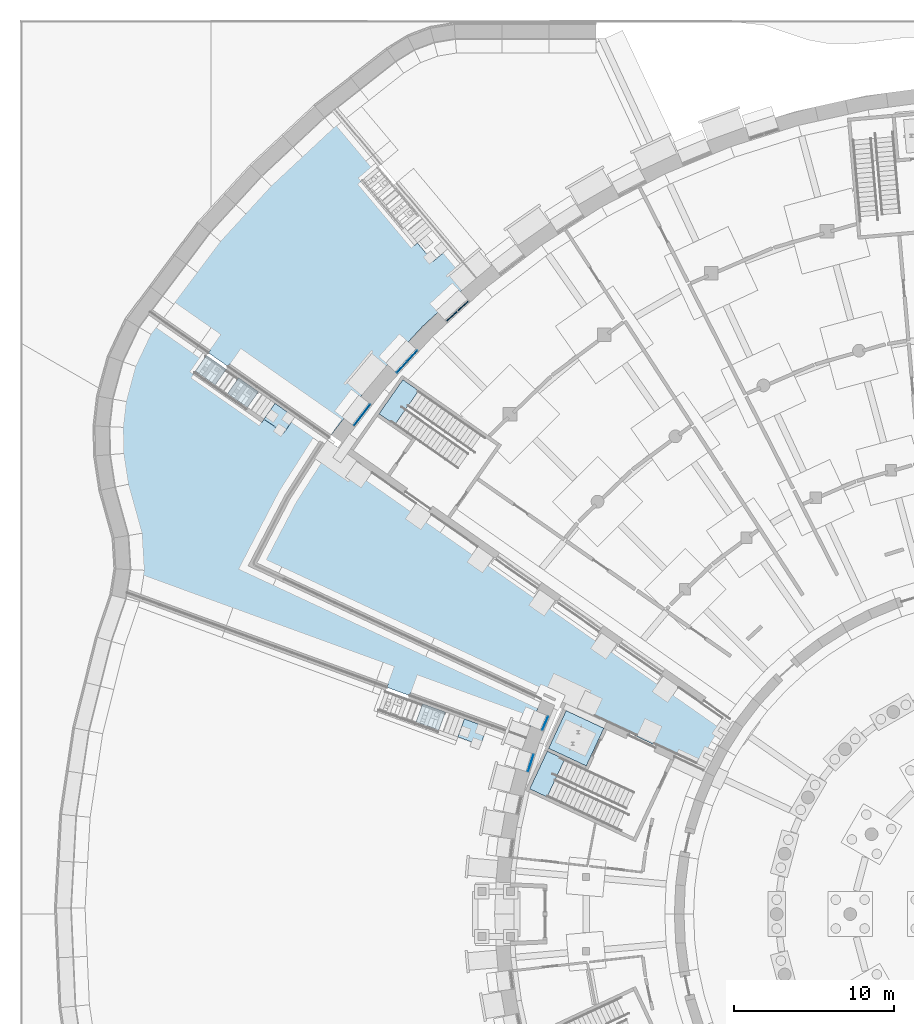
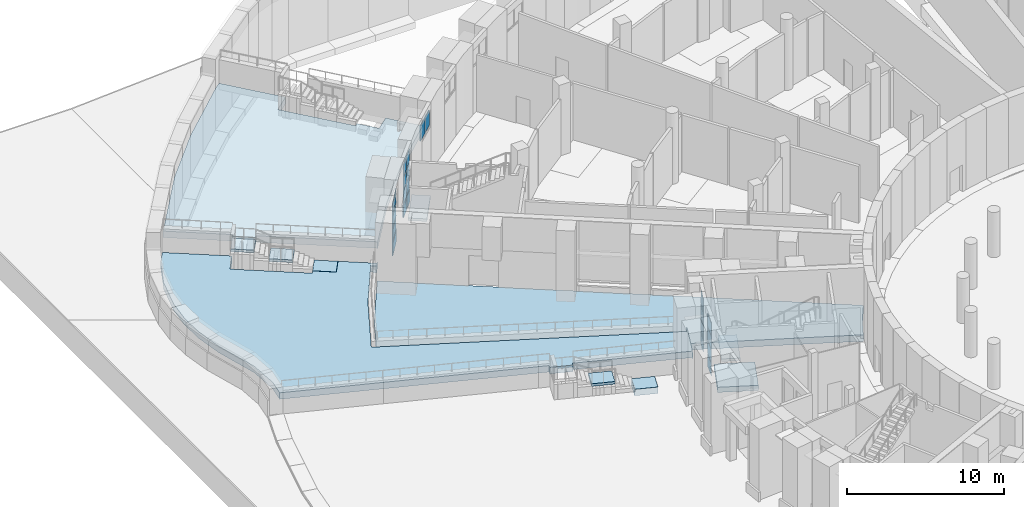
# One storey, part 33 of 65: 22 plates, 11 slabs, 9 elements without a shape of their own.
"""IFC4 building model written with IfcOpenShell, lengths in metres."""

from ifc_helpers import new_model, si_unit, direction, frame, origin, origin_2d, place, context, subcontext, project, spatial, polyline, rectangle, outline, extrude, material, layer, layer_set, type_object, element, aggregate, save


model = new_model("IFC4")

# Units and contexts
model_context = context("Model", 3, precision=1e-05, world=origin(), true_north=direction((0.0, 1.0)))
body_context = subcontext(model_context, "Body", "Model", "MODEL_VIEW")
ifc_project = project(units=[si_unit("LENGTHUNIT", "METRE"), si_unit("AREAUNIT", "SQUARE_METRE"), si_unit("VOLUMEUNIT", "CUBIC_METRE"), si_unit("PLANEANGLEUNIT", "RADIAN"), si_unit("MASSUNIT", "GRAM", prefix="KILO")], contexts=[model_context])

# Site, building, storey
site_placement = place(None, origin())
site = spatial("IfcSite", under=ifc_project, at=site_placement, CompositionType="ELEMENT")
building_placement = place(site_placement, origin())
building = spatial("IfcBuilding", under=site, at=building_placement, Name="Volute Hill Aquarium", CompositionType="ELEMENT")
storey_placement = place(building_placement, frame((0.0, 0.0, -5.5)))
storey = spatial("IfcBuildingStorey", under=building, at=storey_placement, Name="L00", CompositionType="ELEMENT", Elevation=-5.5)

# Curtain wall, plates
ifc_material_1 = material(Name="Aluminium", Category="aluminium")
ifc_layer_1 = layer(ifc_material_1, 0.25)
ifc_layer_set_1 = layer_set([ifc_layer_1], Name="Curtain wall niche S1 module 993")
curtain_wall_type_1 = type_object("IfcCurtainWallType", Name="Curtain wall niche S1 module 993", PredefinedType="NOTDEFINED", material=ifc_layer_set_1)
curtain_wall_1_placement = place(storey_placement, origin())
curtain_wall_1 = element("IfcCurtainWall", 1, at=curtain_wall_1_placement, inside=storey, type_object=curtain_wall_type_1, Name="Curtain wall CW S1 L00 1", PredefinedType="NOTDEFINED")
ifc_material_2 = material(Name="Glass, low-iron laminated", Category="glass")
ifc_layer_2 = layer(ifc_material_2, 0.02392578125)
ifc_layer_set_2 = layer_set([ifc_layer_2], Name="Curtain wall glass panel S1 24")
plate_type_1 = type_object("IfcPlateType", Name="Curtain wall glass panel S1 24", PredefinedType="CURTAIN_PANEL", material=ifc_layer_set_2)
plate_1_placement = place(storey_placement, frame((-29.08935546875, 11.94091796875, 0.800048828125), z_axis=(0.0, 0.0, 1.0), x_axis=(-0.382669702059, -0.923885219671, 0.0)))
plate_1 = element("IfcPlate", 2, at=plate_1_placement, type_object=plate_type_1, Name="CW panel 1.1", PredefinedType="CURTAIN_PANEL", context=body_context, shape_type="SweptSolid", body=[
    extrude(rectangle(XDim=0.892822265625, YDim=0.02392578125, at=origin_2d()), origin(), (0.0, 0.0, 1.0), 0.97509765625),
])
plate_2_placement = place(storey_placement, frame((-29.08935546875, 11.94091796875, 1.824951171875), z_axis=(0.0, 0.0, 1.0), x_axis=(-0.382669702059, -0.923885219671, 0.0)))
plate_2 = element("IfcPlate", 3, at=plate_2_placement, type_object=plate_type_1, Name="CW panel 1.2", PredefinedType="CURTAIN_PANEL", context=body_context, shape_type="SweptSolid", body=[
    extrude(rectangle(XDim=0.892822265625, YDim=0.02392578125, at=origin_2d()), origin(), (0.0, 0.0, 1.0), 1.0),
])
plate_3_placement = place(storey_placement, frame((-29.08935546875, 11.94091796875, 2.875), z_axis=(0.0, 0.0, 1.0), x_axis=(-0.382669702059, -0.923885219671, 0.0)))
plate_3 = element("IfcPlate", 4, at=plate_3_placement, type_object=plate_type_1, Name="CW panel 1.3", PredefinedType="CURTAIN_PANEL", context=body_context, shape_type="SweptSolid", body=[
    extrude(rectangle(XDim=0.892822265625, YDim=0.02392578125, at=origin_2d()), origin(), (0.0, 0.0, 1.0), 1.0),
])
plate_4_placement = place(storey_placement, frame((-29.08935546875, 11.94091796875, 3.925048828125), z_axis=(0.0, 0.0, 1.0), x_axis=(-0.382669702059, -0.923885219671, 0.0)))
plate_4 = element("IfcPlate", 5, at=plate_4_placement, type_object=plate_type_1, Name="CW panel 1.4", PredefinedType="CURTAIN_PANEL", context=body_context, shape_type="SweptSolid", body=[
    extrude(rectangle(XDim=0.892822265625, YDim=0.02392578125, at=origin_2d()), origin(), (0.0, 0.0, 1.0), 0.97509765625),
])
aggregate(curtain_wall_1, [plate_1, plate_2, plate_3, plate_4])

ifc_material_3 = material(Name="Aluminium", Category="aluminium")
ifc_layer_3 = layer(ifc_material_3, 0.25)
ifc_layer_set_3 = layer_set([ifc_layer_3], Name="Curtain wall niche S1 module 1193")
curtain_wall_type_2 = type_object("IfcCurtainWallType", Name="Curtain wall niche S1 module 1193", PredefinedType="NOTDEFINED", material=ifc_layer_set_3)
curtain_wall_2_placement = place(storey_placement, origin())
curtain_wall_2 = element("IfcCurtainWall", 6, at=curtain_wall_2_placement, inside=storey, type_object=curtain_wall_type_2, Name="Curtain wall CW S1 L00 2", PredefinedType="NOTDEFINED")
plate_5_placement = place(storey_placement, frame((-29.9892578125, 9.45556640625, 0.800048828125), z_axis=(0.0, 0.0, 1.0), x_axis=(-0.300702070227, -0.953718126577, 0.0)))
plate_5 = element("IfcPlate", 7, at=plate_5_placement, type_object=plate_type_1, Name="CW panel 1.1", PredefinedType="CURTAIN_PANEL", context=body_context, shape_type="SweptSolid", body=[
    extrude(rectangle(XDim=1.093017578125, YDim=0.02392578125, at=origin_2d()), origin(), (0.0, 0.0, 1.0), 0.97509765625),
])
plate_6_placement = place(storey_placement, frame((-29.9892578125, 9.45556640625, 1.824951171875), z_axis=(0.0, 0.0, 1.0), x_axis=(-0.300702070227, -0.953718126577, 0.0)))
plate_6 = element("IfcPlate", 8, at=plate_6_placement, type_object=plate_type_1, Name="CW panel 1.2", PredefinedType="CURTAIN_PANEL", context=body_context, shape_type="SweptSolid", body=[
    extrude(rectangle(XDim=1.093017578125, YDim=0.02392578125, at=origin_2d()), origin(), (0.0, 0.0, 1.0), 1.0),
])
plate_7_placement = place(storey_placement, frame((-29.9892578125, 9.45556640625, 2.875), z_axis=(0.0, 0.0, 1.0), x_axis=(-0.300702070227, -0.953718126577, 0.0)))
plate_7 = element("IfcPlate", 9, at=plate_7_placement, type_object=plate_type_1, Name="CW panel 1.3", PredefinedType="CURTAIN_PANEL", context=body_context, shape_type="SweptSolid", body=[
    extrude(rectangle(XDim=1.093017578125, YDim=0.02392578125, at=origin_2d()), origin(), (0.0, 0.0, 1.0), 1.0),
])
plate_8_placement = place(storey_placement, frame((-29.9892578125, 9.45556640625, 3.925048828125), z_axis=(0.0, 0.0, 1.0), x_axis=(-0.300702070227, -0.953718126577, 0.0)))
plate_8 = element("IfcPlate", 10, at=plate_8_placement, type_object=plate_type_1, Name="CW panel 1.4", PredefinedType="CURTAIN_PANEL", context=body_context, shape_type="SweptSolid", body=[
    extrude(rectangle(XDim=1.093017578125, YDim=0.02392578125, at=origin_2d()), origin(), (0.0, 0.0, 1.0), 0.97509765625),
])
aggregate(curtain_wall_2, [plate_5, plate_6, plate_7, plate_8])

ifc_material_4 = material(Name="Aluminium", Category="aluminium")
ifc_layer_4 = layer(ifc_material_4, 0.25)
ifc_layer_set_4 = layer_set([ifc_layer_4], Name="Curtain wall niche S6 module 967")
curtain_wall_type_3 = type_object("IfcCurtainWallType", Name="Curtain wall niche S6 module 967", PredefinedType="NOTDEFINED", material=ifc_layer_set_4)
curtain_wall_3_placement = place(storey_placement, origin())
curtain_wall_3 = element("IfcCurtainWall", 11, at=curtain_wall_3_placement, inside=storey, type_object=curtain_wall_type_3, Name="Curtain wall CW S6 L00 9", PredefinedType="NOTDEFINED")
ifc_material_5 = material(Name="Glass, low-iron laminated", Category="glass")
ifc_layer_5 = layer(ifc_material_5, 0.02392578125)
ifc_layer_set_5 = layer_set([ifc_layer_5], Name="Curtain wall glass panel S6 24")
plate_type_2 = type_object("IfcPlateType", Name="Curtain wall glass panel S6 24", PredefinedType="CURTAIN_PANEL", material=ifc_layer_set_5)
plate_9_placement = place(storey_placement, frame((-37.412841796875, 34.921142578125, 1.824951171875), z_axis=(0.0, 0.0, 1.0), x_axis=(-0.675582007635, -0.737284850624, 0.0)))
plate_9 = element("IfcPlate", 12, at=plate_9_placement, type_object=plate_type_2, Name="CW panel 1.2", PredefinedType="CURTAIN_PANEL", context=body_context, shape_type="SweptSolid", body=[
    extrude(rectangle(XDim=0.891845703125, YDim=0.02392578125, at=origin_2d()), origin(), (0.0, 0.0, 1.0), 1.0),
])
plate_10_placement = place(storey_placement, frame((-37.412841796875, 34.921142578125, 2.875), z_axis=(0.0, 0.0, 1.0), x_axis=(-0.675582007635, -0.737284850624, 0.0)))
plate_10 = element("IfcPlate", 13, at=plate_10_placement, type_object=plate_type_2, Name="CW panel 1.3", PredefinedType="CURTAIN_PANEL", context=body_context, shape_type="SweptSolid", body=[
    extrude(rectangle(XDim=0.891845703125, YDim=0.02392578125, at=origin_2d()), origin(), (0.0, 0.0, 1.0), 1.0),
])
plate_11_placement = place(storey_placement, frame((-37.412841796875, 34.921142578125, 3.925048828125), z_axis=(0.0, 0.0, 1.0), x_axis=(-0.675582007635, -0.737284850624, 0.0)))
plate_11 = element("IfcPlate", 14, at=plate_11_placement, type_object=plate_type_2, Name="CW panel 1.4", PredefinedType="CURTAIN_PANEL", context=body_context, shape_type="SweptSolid", body=[
    extrude(rectangle(XDim=0.891845703125, YDim=0.02392578125, at=origin_2d()), origin(), (0.0, 0.0, 1.0), 0.97509765625),
])
plate_12_placement = place(storey_placement, frame((-38.049072265625, 34.226806640625, 1.824951171875), z_axis=(0.0, 0.0, 1.0), x_axis=(-0.675582007635, -0.737284850624, 0.0)))
plate_12 = element("IfcPlate", 15, at=plate_12_placement, type_object=plate_type_2, Name="CW panel 2.2", PredefinedType="CURTAIN_PANEL", context=body_context, shape_type="SweptSolid", body=[
    extrude(rectangle(XDim=0.891845703125, YDim=0.02392578125, at=origin_2d()), origin(), (0.0, 0.0, 1.0), 1.0),
])
plate_13_placement = place(storey_placement, frame((-38.049072265625, 34.226806640625, 2.875), z_axis=(0.0, 0.0, 1.0), x_axis=(-0.675582007635, -0.737284850624, 0.0)))
plate_13 = element("IfcPlate", 16, at=plate_13_placement, type_object=plate_type_2, Name="CW panel 2.3", PredefinedType="CURTAIN_PANEL", context=body_context, shape_type="SweptSolid", body=[
    extrude(rectangle(XDim=0.891845703125, YDim=0.02392578125, at=origin_2d()), origin(), (0.0, 0.0, 1.0), 1.0),
])
plate_14_placement = place(storey_placement, frame((-38.049072265625, 34.226806640625, 3.925048828125), z_axis=(0.0, 0.0, 1.0), x_axis=(-0.675582007635, -0.737284850624, 0.0)))
plate_14 = element("IfcPlate", 17, at=plate_14_placement, type_object=plate_type_2, Name="CW panel 2.4", PredefinedType="CURTAIN_PANEL", context=body_context, shape_type="SweptSolid", body=[
    extrude(rectangle(XDim=0.891845703125, YDim=0.02392578125, at=origin_2d()), origin(), (0.0, 0.0, 1.0), 0.97509765625),
])

ifc_material_6 = material(Name="Aluminium", Category="aluminium")
ifc_layer_6 = layer(ifc_material_6, 0.25)
ifc_layer_set_6 = layer_set([ifc_layer_6], Name="Curtain wall niche S6 module 1734")
curtain_wall_type_4 = type_object("IfcCurtainWallType", Name="Curtain wall niche S6 module 1734", PredefinedType="NOTDEFINED", material=ifc_layer_set_6)
curtain_wall_4_placement = place(storey_placement, origin())
curtain_wall_4 = element("IfcCurtainWall", 18, at=curtain_wall_4_placement, inside=storey, type_object=curtain_wall_type_4, Name="Curtain wall CW S6 L00 10", PredefinedType="NOTDEFINED")
plate_15_placement = place(storey_placement, frame((-40.539794921875, 31.2333984375, 1.824951171875), z_axis=(0.0, 0.0, 1.0), x_axis=(-0.608766945394, -0.79334910739, 0.0)))
plate_15 = element("IfcPlate", 19, at=plate_15_placement, type_object=plate_type_2, Name="CW panel 1.2", PredefinedType="CURTAIN_PANEL", context=body_context, shape_type="SweptSolid", body=[
    extrude(rectangle(XDim=1.633544921875, YDim=0.02392578125, at=origin_2d()), origin(), (0.0, 0.0, 1.0), 1.0),
])
plate_16_placement = place(storey_placement, frame((-40.539794921875, 31.2333984375, 2.875), z_axis=(0.0, 0.0, 1.0), x_axis=(-0.608766945394, -0.79334910739, 0.0)))
plate_16 = element("IfcPlate", 20, at=plate_16_placement, type_object=plate_type_2, Name="CW panel 1.3", PredefinedType="CURTAIN_PANEL", context=body_context, shape_type="SweptSolid", body=[
    extrude(rectangle(XDim=1.633544921875, YDim=0.02392578125, at=origin_2d()), origin(), (0.0, 0.0, 1.0), 1.0),
])
plate_17_placement = place(storey_placement, frame((-40.539794921875, 31.2333984375, 3.925048828125), z_axis=(0.0, 0.0, 1.0), x_axis=(-0.608766945394, -0.79334910739, 0.0)))
plate_17 = element("IfcPlate", 21, at=plate_17_placement, type_object=plate_type_2, Name="CW panel 1.4", PredefinedType="CURTAIN_PANEL", context=body_context, shape_type="SweptSolid", body=[
    extrude(rectangle(XDim=1.633544921875, YDim=0.02392578125, at=origin_2d()), origin(), (0.0, 0.0, 1.0), 0.97509765625),
])

curtain_wall_5_placement = place(storey_placement, origin())
curtain_wall_5 = element("IfcCurtainWall", 22, at=curtain_wall_5_placement, inside=storey, type_object=curtain_wall_type_3, Name="Curtain wall CW S6 L00 8", PredefinedType="NOTDEFINED")
ifc_material_7 = material(Name="Aluminium", Category="aluminium")
ifc_layer_7 = layer(ifc_material_7, 0.06005859375)
ifc_layer_set_7 = layer_set([ifc_layer_7], Name="Curtain wall insulated spandrel panel 60")
plate_type_3 = type_object("IfcPlateType", Name="Curtain wall insulated spandrel panel 60", PredefinedType="CURTAIN_PANEL", material=ifc_layer_set_7)
plate_18_placement = place(storey_placement, frame((-34.226806640625, 38.049072265625, 3.7001953125), z_axis=(0.0, 0.0, 1.0), x_axis=(-0.737284850624, -0.675582007635, 0.0)))
plate_18 = element("IfcPlate", 23, at=plate_18_placement, type_object=plate_type_3, Name="CW panel 1.1", PredefinedType="CURTAIN_PANEL", context=body_context, shape_type="SweptSolid", body=[
    extrude(rectangle(XDim=0.891845703125, YDim=0.06005859375, at=origin_2d()), origin(), (0.0, 0.0, 1.0), 1.199951171875),
])
plate_19_placement = place(storey_placement, frame((-34.921142578125, 37.412841796875, 3.7001953125), z_axis=(0.0, 0.0, 1.0), x_axis=(-0.737284850624, -0.675582007635, 0.0)))
plate_19 = element("IfcPlate", 24, at=plate_19_placement, type_object=plate_type_3, Name="CW panel 2.1", PredefinedType="CURTAIN_PANEL", context=body_context, shape_type="SweptSolid", body=[
    extrude(rectangle(XDim=0.891845703125, YDim=0.06005859375, at=origin_2d()), origin(), (0.0, 0.0, 1.0), 1.199951171875),
])
aggregate(curtain_wall_5, [plate_18, plate_19])

# Plate
plate_20_placement = place(storey_placement, frame((-37.412841796875, 34.921142578125, 0.800048828125), z_axis=(0.0, 0.0, 1.0), x_axis=(-0.675582007635, -0.737284850624, 0.0)))
plate_20 = element("IfcPlate", 25, at=plate_20_placement, type_object=plate_type_3, Name="CW panel 1.1", PredefinedType="CURTAIN_PANEL", context=body_context, shape_type="SweptSolid", body=[
    extrude(rectangle(XDim=0.891845703125, YDim=0.06005859375, at=origin_2d()), origin(), (0.0, 0.0, 1.0), 0.97509765625),
])

plate_21_placement = place(storey_placement, frame((-38.049072265625, 34.226806640625, 0.800048828125), z_axis=(0.0, 0.0, 1.0), x_axis=(-0.675582007635, -0.737284850624, 0.0)))
plate_21 = element("IfcPlate", 26, at=plate_21_placement, type_object=plate_type_3, Name="CW panel 2.1", PredefinedType="CURTAIN_PANEL", context=body_context, shape_type="SweptSolid", body=[
    extrude(rectangle(XDim=0.891845703125, YDim=0.06005859375, at=origin_2d()), origin(), (0.0, 0.0, 1.0), 0.97509765625),
])

aggregate(curtain_wall_3, [plate_20, plate_9, plate_10, plate_11, plate_21, plate_12, plate_13, plate_14])

plate_22_placement = place(storey_placement, frame((-40.539794921875, 31.2333984375, 0.800048828125), z_axis=(0.0, 0.0, 1.0), x_axis=(-0.608766945394, -0.79334910739, 0.0)))
plate_22 = element("IfcPlate", 27, at=plate_22_placement, type_object=plate_type_3, Name="CW panel 1.1", PredefinedType="CURTAIN_PANEL", context=body_context, shape_type="SweptSolid", body=[
    extrude(rectangle(XDim=1.633544921875, YDim=0.06005859375, at=origin_2d()), origin(), (0.0, 0.0, 1.0), 0.97509765625),
])

aggregate(curtain_wall_4, [plate_22, plate_15, plate_16, plate_17])

# Slab
ifc_material_8 = material(Name="Concrete C30/37", Category="concrete")
ifc_layer_8 = layer(ifc_material_8, 0.39990234375)
ifc_layer_set_8 = layer_set([ifc_layer_8], Name="Lift pit slab 400 C30/37")
slab_type_1 = type_object("IfcSlabType", Name="Lift pit slab 400 C30/37", PredefinedType="BASESLAB", material=ifc_layer_set_8)
slab_1_placement = place(storey_placement, frame((0.0, 0.0, -1.800048828125)))
element("IfcSlab", 28, at=slab_1_placement, inside=storey, type_object=slab_type_1, Name="lp/S1-A/L00", PredefinedType="BASESLAB", context=body_context, shape_type="SweptSolid", body=[
    extrude(outline(polyline([(-25.415771484375, 11.630859375), (-27.772216796875, 12.729736328125), (-28.87109375, 10.373291015625), (-26.5146484375, 9.2744140625), (-25.415771484375, 11.630859375)])), origin(), (0.0, 0.0, 1.0), 0.400146484375),
])

# Stair, slab
ifc_material_9 = material(Name="Concrete C30/37", Category="concrete")
stair_type_1 = type_object("IfcStairType", Name="Outdoor stair", PredefinedType="STRAIGHT_RUN_STAIR", material=ifc_material_9)
stair_1_placement = place(storey_placement, origin())
stair_1 = element("IfcStair", 29, at=stair_1_placement, inside=storey, type_object=stair_type_1, Name="Outdoor stair 160", PredefinedType="STRAIGHT_RUN_STAIR")
ifc_material_10 = material(Name="Concrete C30/37", Category="concrete")
ifc_layer_9 = layer(ifc_material_10, 0.5)
ifc_layer_set_9 = layer_set([ifc_layer_9], Name="Outdoor stair foot slab C30/37 500")
slab_type_2 = type_object("IfcSlabType", Name="Outdoor stair foot slab C30/37 500", PredefinedType="LANDING", material=ifc_layer_set_9)
slab_2_placement = place(storey_placement, frame((0.0, 0.0, -0.5)))
slab_2 = element("IfcSlab", 30, at=slab_2_placement, type_object=slab_type_2, Name="Stair 160 foot slab", PredefinedType="LANDING", context=body_context, shape_type="SweptSolid", body=[
    extrude(outline(polyline([(-32.72265625, 11.697265625), (-34.1416015625, 12.213623046875), (-34.552001953125, 11.086181640625), (-33.133056640625, 10.569580078125), (-32.72265625, 11.697265625)])), origin(), (0.0, 0.0, 1.0), 0.5),
])

stair_2_placement = place(storey_placement, origin())
stair_2 = element("IfcStair", 31, at=stair_2_placement, inside=storey, type_object=stair_type_1, Name="Outdoor stair 145", PredefinedType="STRAIGHT_RUN_STAIR")
slab_3_placement = place(storey_placement, frame((0.0, 0.0, 0.875)))
slab_3 = element("IfcSlab", 32, at=slab_3_placement, type_object=slab_type_2, Name="Stair 145 foot slab", PredefinedType="LANDING", context=body_context, shape_type="SweptSolid", body=[
    extrude(outline(polyline([(-44.758544921875, 31.09619140625), (-45.995361328125, 31.962158203125), (-46.68359375, 30.979248046875), (-45.44677734375, 30.113037109375), (-44.758544921875, 31.09619140625)])), origin(), (0.0, 0.0, 1.0), 0.5),
])

# Slab
ifc_material_11 = material(Name="Concrete C30/37", Category="concrete")
ifc_layer_10 = layer(ifc_material_11, 0.199951171875)
ifc_layer_set_10 = layer_set([ifc_layer_10], Name="Outdoor stair landing C30/37 200")
slab_type_3 = type_object("IfcSlabType", Name="Outdoor stair landing C30/37 200", PredefinedType="LANDING", material=ifc_layer_set_10)
slab_4_placement = place(storey_placement, frame((0.0, 0.0, 0.56396484375)))
slab_4 = element("IfcSlab", 33, at=slab_4_placement, type_object=slab_type_3, Name="ST landing 1", PredefinedType="LANDING", context=body_context, shape_type="SweptSolid", body=[
    extrude(outline(polyline([(-35.32568359375, 12.644775390625), (-36.75390625, 13.16455078125), (-37.164306640625, 12.036865234375), (-35.736083984375, 11.51708984375), (-35.32568359375, 12.644775390625)])), origin(), (0.0, 0.0, 1.0), 0.199951171875),
])

aggregate(stair_1, [slab_2, slab_4])

slab_5_placement = place(storey_placement, frame((0.0, 0.0, 1.93896484375)))
slab_5 = element("IfcSlab", 34, at=slab_5_placement, type_object=slab_type_3, Name="ST landing 1", PredefinedType="LANDING", context=body_context, shape_type="SweptSolid", body=[
    extrude(outline(polyline([(-47.027587890625, 32.684814453125), (-48.272705078125, 33.556640625), (-48.9609375, 32.57373046875), (-47.7158203125, 31.701904296875), (-47.027587890625, 32.684814453125)])), origin(), (0.0, 0.0, 1.0), 0.199951171875),
])

slab_6_placement = place(storey_placement, frame((0.0, 0.0, 2.550048828125)))
slab_6 = element("IfcSlab", 35, at=slab_6_placement, type_object=slab_type_3, Name="ST landing 2", PredefinedType="LANDING", context=body_context, shape_type="SweptSolid", body=[
    extrude(outline(polyline([(-49.042724609375, 34.095947265625), (-50.279541015625, 34.9619140625), (-50.968017578125, 33.97900390625), (-49.73095703125, 33.11279296875), (-49.042724609375, 34.095947265625)])), origin(), (0.0, 0.0, 1.0), 0.199951171875),
])

aggregate(stair_2, [slab_3, slab_5, slab_6])

# Slabs
ifc_material_12 = material(Name="Concrete C30/37", Category="concrete")
ifc_layer_11 = layer(ifc_material_12, 0.5)
ifc_layer_set_11 = layer_set([ifc_layer_11], Name="Site paving build-up C30/37 500")
slab_type_4 = type_object("IfcSlabType", Name="Site paving build-up C30/37 500", PredefinedType="BASESLAB", material=ifc_layer_set_11)
slab_7_placement = place(storey_placement, frame((0.0, 0.0, -0.5)))
element("IfcSlab", 36, at=slab_7_placement, inside=storey, type_object=slab_type_4, Name="pv/SC1/L00/0", PredefinedType="BASESLAB", context=body_context, shape_type="SweptSolid", body=[
    extrude(outline(polyline([(-42.703369140625, 29.6572265625), (-45.033203125, 26.0), (-47.1279296875, 21.97607421875), (-29.228515625, 13.62939453125), (-29.143798828125, 13.810791015625), (-18.93994140625, 9.052490234375), (-18.1865234375, 10.5), (-17.309814453125, 11.876220703125), (-42.703369140625, 29.6572265625)])), origin(), (0.0, 0.0, 1.0), 0.5),
])
slab_8_placement = place(storey_placement, frame((0.0, 0.0, 0.875)))
element("IfcSlab", 37, at=slab_8_placement, inside=storey, type_object=slab_type_4, Name="pv/FA1/L00/0", PredefinedType="BASESLAB", context=body_context, shape_type="SweptSolid", body=[
    extrude(outline(polyline([(-55.17529296875, 23.69189453125), (-55.046630859375, 21.55615234375), (-55.244384765625, 20.3203125), (-38.91943359375, 14.37841796875), (-38.98779296875, 14.1904296875), (-37.578369140625, 13.677490234375), (-37.510009765625, 13.865234375), (-30.236572265625, 11.218017578125), (-30.30517578125, 11.0302734375), (-29.228515625, 13.62939453125), (-29.273681640625, 13.650390625), (-29.427001953125, 13.28076171875), (-47.67578125, 21.790283203125), (-45.380126953125, 26.2001953125), (-43.20166015625, 29.61962890625), (-42.8642578125, 29.404541015625), (-42.595947265625, 29.825927734375), (-42.710693359375, 29.662109375), (-44.75048828125, 31.09033203125), (-45.4443359375, 30.09912109375), (-46.68115234375, 30.96533203125), (-46.82470703125, 30.760498046875), (-51.116943359375, 33.76611328125), (-51.111328125, 33.774169921875), (-51.119384765625, 33.780029296875), (-50.287841796875, 34.9677734375), (-53.922607421875, 37.512939453125), (-54.50830078125, 36.73095703125), (-55.52734375, 34.572509765625), (-56.1552734375, 32.2353515625), (-56.3564453125, 30.501953125), (-56.326171875, 28.750244140625), (-56.01318359375, 26.71533203125), (-55.17529296875, 23.69189453125)])), origin(), (0.0, 0.0, 1.0), 0.5),
])
slab_9_placement = place(storey_placement, frame((0.0, 0.0, 2.25)))
element("IfcSlab", 38, at=slab_9_placement, inside=storey, type_object=slab_type_4, Name="pv/FA2/L00/0", PredefinedType="BASESLAB", context=body_context, shape_type="SweptSolid", body=[
    extrude(outline(polyline([(-46.84521484375, 46.17431640625), (-50.0732421875, 42.651611328125), (-53.682861328125, 37.8330078125), (-50.05029296875, 35.28955078125), (-50.164794921875, 35.125732421875), (-48.93603515625, 34.265380859375), (-48.8212890625, 34.429443359375), (-42.481201171875, 29.98974609375), (-42.595947265625, 29.826171875), (-39.834228515625, 33.425048828125), (-36.76953125, 36.76953125), (-33.425048828125, 39.834228515625), (-33.578125, 39.705810546875), (-35.1787109375, 41.613037109375), (-36.105712890625, 40.83544921875), (-37.076171875, 41.9921875), (-37.267822265625, 41.83154296875), (-40.635986328125, 45.845458984375), (-40.62841796875, 45.851806640625), (-40.634765625, 45.859619140625), (-39.52392578125, 46.79150390625), (-42.415283203125, 50.2373046875), (-42.89892578125, 49.8564453125), (-46.84521484375, 46.17431640625)])), origin(), (0.0, 0.0, 1.0), 0.5),
])

# Stair, slab
ifc_material_13 = material(Name="Concrete C35/45", Category="concrete")
stair_type_2 = type_object("IfcStairType", Name="Stair C35/45", PredefinedType="HALF_TURN_STAIR", material=ifc_material_13)
stair_3_placement = place(storey_placement, origin())
stair_3 = element("IfcStair", 39, at=stair_3_placement, inside=storey, type_object=stair_type_2, Name="ST/S1-A/L00", PredefinedType="HALF_TURN_STAIR")
ifc_material_14 = material(Name="Concrete C35/45", Category="concrete")
ifc_layer_12 = layer(ifc_material_14, 0.199951171875)
ifc_layer_set_12 = layer_set([ifc_layer_12], Name="Stair landing C35/45 200")
slab_type_5 = type_object("IfcSlabType", Name="Stair landing C35/45 200", PredefinedType="LANDING", material=ifc_layer_set_12)
slab_10_placement = place(storey_placement, frame((0.0, 0.0, 2.550048828125)))
slab_10 = element("IfcSlab", 40, at=slab_10_placement, type_object=slab_type_5, Name="ST-S1-A-00 landing 1", PredefinedType="LANDING", context=body_context, shape_type="SweptSolid", body=[
    extrude(outline(polyline([(-27.8662109375, 9.68408203125), (-28.95556640625, 10.192138671875), (-30.054443359375, 7.835693359375), (-28.965087890625, 7.32763671875), (-27.8662109375, 9.68408203125)])), origin(), (0.0, 0.0, 1.0), 0.199951171875),
])
aggregate(stair_3, [slab_10])

stair_4_placement = place(storey_placement, origin())
stair_4 = element("IfcStair", 41, at=stair_4_placement, inside=storey, type_object=stair_type_2, Name="ST/S6-B/L00", PredefinedType="HALF_TURN_STAIR")
slab_11_placement = place(storey_placement, frame((0.0, 0.0, 2.550048828125)))
slab_11 = element("IfcSlab", 42, at=slab_11_placement, type_object=slab_type_5, Name="ST-S6-B-00 landing 1", PredefinedType="LANDING", context=body_context, shape_type="SweptSolid", body=[
    extrude(outline(polyline([(-37.006591796875, 32.748779296875), (-37.9912109375, 33.43798828125), (-39.482666015625, 31.308349609375), (-38.498046875, 30.618896484375), (-37.006591796875, 32.748779296875)])), origin(), (0.0, 0.0, 1.0), 0.199951171875),
])
aggregate(stair_4, [slab_11])

save(model, "model.ifc")
